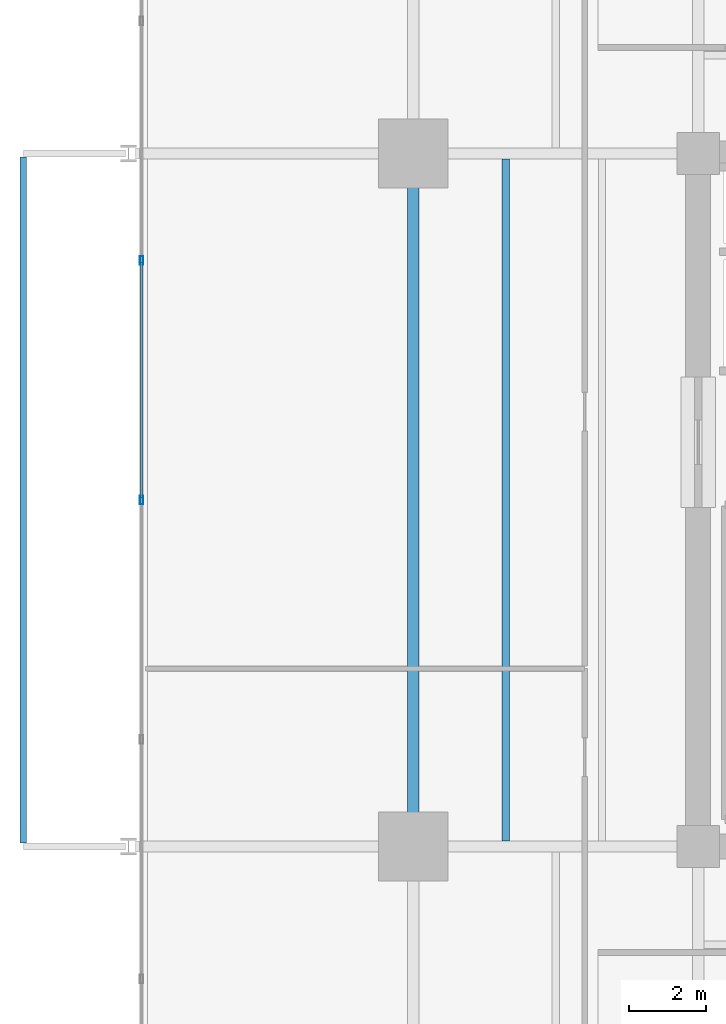
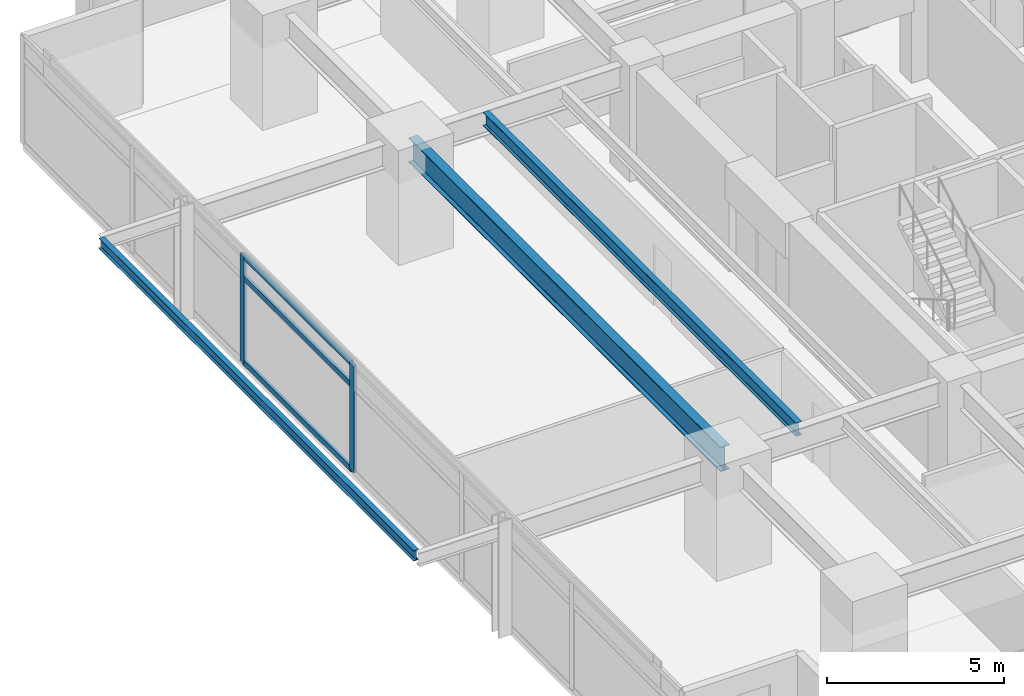
# One storey, part 7 of 21: 5 members, 3 beams, 1 element without a shape of its own.
"""IFC4 building model written with IfcOpenShell, lengths in metres."""

from ifc_helpers import new_model, si_unit, direction, frame, origin, origin_2d, place, context, subcontext, project, spatial, hollow_rectangle, i_section, extrude, material, material_profile, profile_set, type_object, element, aggregate, save


model = new_model("IFC4")

# Units and contexts
model_context = context("Model", 3, precision=1e-05, world=origin(), true_north=direction((0.0, 1.0)))
body_context = subcontext(model_context, "Body", "Model", "MODEL_VIEW")
ifc_project = project(units=[si_unit("LENGTHUNIT", "METRE"), si_unit("AREAUNIT", "SQUARE_METRE"), si_unit("VOLUMEUNIT", "CUBIC_METRE"), si_unit("PLANEANGLEUNIT", "RADIAN"), si_unit("MASSUNIT", "GRAM", prefix="KILO")], contexts=[model_context])

# Site, building, storey
site_placement = place(None, origin())
site = spatial("IfcSite", under=ifc_project, at=site_placement, CompositionType="ELEMENT")
building_placement = place(site_placement, origin())
building = spatial("IfcBuilding", under=site, at=building_placement, Name="Kovane Verandah Tower", CompositionType="ELEMENT")
storey_placement = place(building_placement, frame((0.0, 0.0, 47.60009765625)))
storey = spatial("IfcBuildingStorey", under=building, at=storey_placement, Name="L10", CompositionType="ELEMENT", Elevation=47.60009765625)

# Beam
ifc_material_1 = material(Name="Steel S355", Category="steel")
ifc_material_profile_1 = material_profile(ifc_material_1, i_section(OverallWidth=0.293701171875, OverallDepth=0.850830078125, WebThickness=0.01611328125, FlangeThickness=0.02685546875, FilletRadius=0.017822265625, at=origin_2d()), Name="UB838x292x226")
ifc_profile_set_1 = profile_set([ifc_material_profile_1], Name="Steel S355")
beam_type_1 = type_object("IfcBeamType", Name="BM-UB838x226", PredefinedType="BEAM", material=ifc_profile_set_1)
beam_1_placement = place(storey_placement, frame((21.60009765625, 18.679931640625, 3.33447265625), z_axis=(0.0, 1.0, 0.0), x_axis=(-1.0, 0.0, 0.0)))
element("IfcBeam", 1, at=beam_1_placement, inside=storey, type_object=beam_type_1, Name="L10 Primary Tower Girder G-RW2", PredefinedType="BEAM", context=body_context, shape_type="SweptSolid", body=[
    extrude(i_section(OverallWidth=0.293701171875, OverallDepth=0.850830078125, WebThickness=0.01611328125, FlangeThickness=0.02685546875, FilletRadius=0.017822265625, at=origin_2d()), origin(), (0.0, 0.0, 1.0), 17.64013671875),
])

# Curtain wall, members
ifc_material_2 = material(Name="Champagne Anodised Aluminium Frame with Low-E Clear Laminated Glass", Category="aluminium")
curtain_wall_type = type_object("IfcCurtainWallType", Name="CW-SYS-02-LOW", PredefinedType="NOTDEFINED", material=ifc_material_2)
curtain_wall_placement = place(storey_placement, origin())
curtain_wall = element("IfcCurtainWall", 2, at=curtain_wall_placement, inside=storey, type_object=curtain_wall_type, Name="L10 W Unitised Curtain Wall", PredefinedType="NOTDEFINED")
ifc_material_3 = material(Name="Champagne Anodised Aluminium 6063-T6", Category="aluminium")
ifc_material_profile_2 = material_profile(ifc_material_3, hollow_rectangle(XDim=0.0849609375, YDim=0.22998046875, WallThickness=0.00390625, at=origin_2d()), Name="AL85x230x4")
ifc_profile_set_2 = profile_set([ifc_material_profile_2], Name="Champagne Anodised Aluminium 6063-T6")
member_type_1 = type_object("IfcMemberType", Name="CW-MUL-85x230", PredefinedType="MULLION", material=ifc_profile_set_2)
member_1_placement = place(storey_placement, frame((14.541015625, 33.720458984375, 0.02001953125), z_axis=(0.0, 0.0, 1.0), x_axis=(-1.0, 0.0, 0.0)))
member_1 = element("IfcMember", 3, at=member_1_placement, type_object=member_type_1, Name="L10 W Unitised Curtain Wall Mullion 3", PredefinedType="MULLION", context=body_context, shape_type="SweptSolid", body=[
    extrude(hollow_rectangle(XDim=0.0849609375, YDim=0.22998046875, WallThickness=0.00390625, at=origin_2d()), origin(), (0.0, 0.0, 1.0), 3.719970703125),
])
member_2_placement = place(storey_placement, frame((14.541015625, 27.5, 0.02001953125), z_axis=(0.0, 0.0, 1.0), x_axis=(-1.0, 0.0, 0.0)))
member_2 = element("IfcMember", 4, at=member_2_placement, type_object=member_type_1, Name="L10 W Unitised Curtain Wall Mullion 4", PredefinedType="MULLION", context=body_context, shape_type="SweptSolid", body=[
    extrude(hollow_rectangle(XDim=0.0849609375, YDim=0.22998046875, WallThickness=0.00390625, at=origin_2d()), origin(), (0.0, 0.0, 1.0), 3.719970703125),
])
ifc_material_profile_3 = material_profile(ifc_material_3, hollow_rectangle(XDim=0.0849609375, YDim=0.18994140625, WallThickness=0.00390625, at=origin_2d()), Name="AL85x190x4")
ifc_profile_set_3 = profile_set([ifc_material_profile_3], Name="Champagne Anodised Aluminium 6063-T6")
member_type_2 = type_object("IfcMemberType", Name="CW-TRN-85x190", PredefinedType="USERDEFINED", material=ifc_profile_set_3)
member_3_placement = place(storey_placement, frame((14.541015625, 33.67041015625, 0.0498046875), z_axis=(0.0, -1.0, 0.0), x_axis=(1.0, 0.0, 0.0)))
member_3 = element("IfcMember", 5, at=member_3_placement, type_object=member_type_2, Name="L10 W Unitised Curtain Wall Transom TB Bay 3", ObjectType="TRANSOM", PredefinedType="USERDEFINED", context=body_context, shape_type="SweptSolid", body=[
    extrude(hollow_rectangle(XDim=0.0849609375, YDim=0.18994140625, WallThickness=0.00390625, at=origin_2d()), origin(), (0.0, 0.0, 1.0), 6.120361328125),
])
member_4_placement = place(storey_placement, frame((14.541015625, 33.67041015625, 2.97998046875), z_axis=(0.0, -1.0, 0.0), x_axis=(1.0, 0.0, 0.0)))
member_4 = element("IfcMember", 6, at=member_4_placement, type_object=member_type_2, Name="L10 W Unitised Curtain Wall Transom TM Bay 3", ObjectType="TRANSOM", PredefinedType="USERDEFINED", context=body_context, shape_type="SweptSolid", body=[
    extrude(hollow_rectangle(XDim=0.0849609375, YDim=0.18994140625, WallThickness=0.00390625, at=origin_2d()), origin(), (0.0, 0.0, 1.0), 6.120361328125),
])
member_5_placement = place(storey_placement, frame((14.541015625, 33.67041015625, 3.7099609375), z_axis=(0.0, -1.0, 0.0), x_axis=(1.0, 0.0, 0.0)))
member_5 = element("IfcMember", 7, at=member_5_placement, type_object=member_type_2, Name="L10 W Unitised Curtain Wall Transom TT Bay 3", ObjectType="TRANSOM", PredefinedType="USERDEFINED", context=body_context, shape_type="SweptSolid", body=[
    extrude(hollow_rectangle(XDim=0.0849609375, YDim=0.18994140625, WallThickness=0.00390625, at=origin_2d()), origin(), (0.0, 0.0, 1.0), 6.120361328125),
])
aggregate(curtain_wall, [member_1, member_2, member_3, member_4, member_5])

# Beams
ifc_material_profile_4 = material_profile(ifc_material_1, i_section(OverallWidth=0.19287109375, OverallDepth=0.46728515625, WebThickness=0.011474609375, FlangeThickness=0.01953125, FilletRadius=0.01025390625, at=origin_2d()), Name="UB457x191x98")
ifc_profile_set_4 = profile_set([ifc_material_profile_4], Name="Steel S355")
beam_type_2 = type_object("IfcBeamType", Name="JST-UB457x98", PredefinedType="JOIST", material=ifc_profile_set_4)
beam_2_placement = place(storey_placement, frame((24.0, 18.64501953125, 3.5263671875), z_axis=(0.0, 1.0, 0.0), x_axis=(-1.0, 0.0, 0.0)))
element("IfcBeam", 8, at=beam_2_placement, inside=storey, type_object=beam_type_2, Name="L10 Secondary Composite Joist J-W1", PredefinedType="JOIST", context=body_context, shape_type="SweptSolid", body=[
    extrude(i_section(OverallWidth=0.19287109375, OverallDepth=0.46728515625, WebThickness=0.011474609375, FlangeThickness=0.01953125, FilletRadius=0.01025390625, at=origin_2d()), origin(), (0.0, 0.0, 1.0), 17.7099609375),
])
ifc_material_profile_5 = material_profile(ifc_material_1, i_section(OverallWidth=0.173095703125, OverallDepth=0.36328125, WebThickness=0.009033203125, FlangeThickness=0.015625, FilletRadius=0.01025390625, at=origin_2d()), Name="UB356x171x67")
ifc_profile_set_5 = profile_set([ifc_material_profile_5], Name="Steel S355")
beam_type_3 = type_object("IfcBeamType", Name="SPD-UB356x67", PredefinedType="USERDEFINED", material=ifc_profile_set_5)
beam_3_placement = place(storey_placement, frame((11.4697265625, 18.594482421875, 3.578125), z_axis=(0.0, 1.0, 0.0), x_axis=(-1.0, 0.0, 0.0)))
element("IfcBeam", 9, at=beam_3_placement, inside=storey, type_object=beam_type_3, Name="L10 West Planter Edge Spandrel", ObjectType="SPANDREL", PredefinedType="USERDEFINED", context=body_context, shape_type="SweptSolid", body=[
    extrude(i_section(OverallWidth=0.173095703125, OverallDepth=0.36328125, WebThickness=0.009033203125, FlangeThickness=0.015625, FilletRadius=0.01025390625, at=origin_2d()), origin(), (0.0, 0.0, 1.0), 17.81103515625),
])

save(model, "model.ifc")
